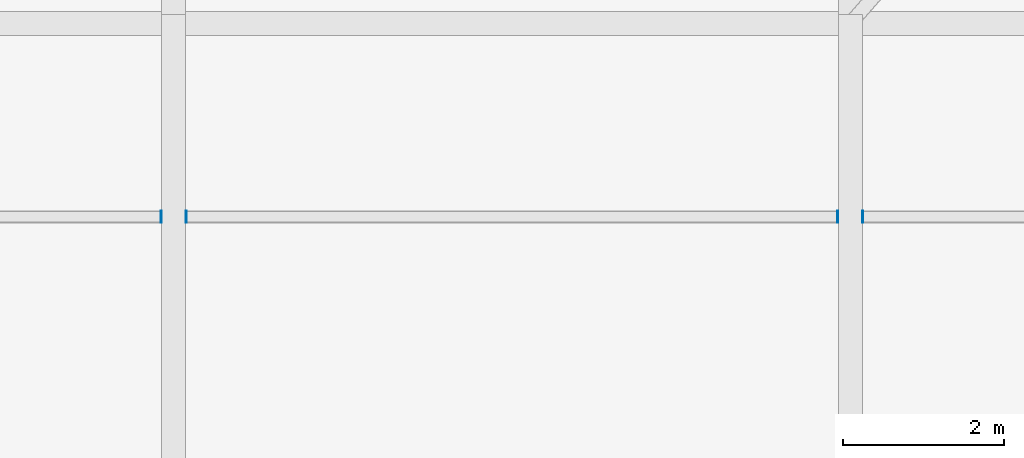
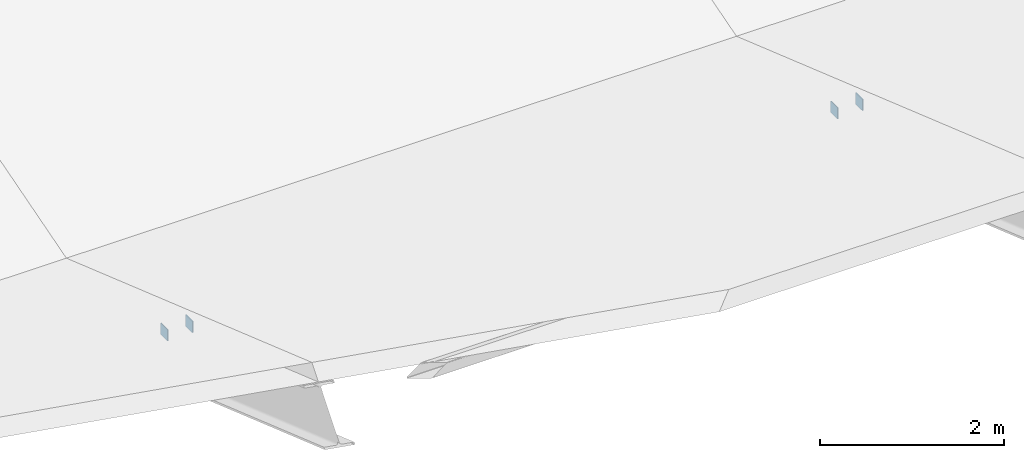
# One storey, part 105 of 110: 4 discrete accessories.
"""IFC4 building model written with IfcOpenShell, lengths in metres."""

import ifcopenshell
import ifcopenshell.guid

model = None  # the IFC model being written
_history = None  # IfcOwnerHistory: only IFC2X3 demands one
_inside = {}  # id of a spatial element -> (the spatial element, [elements in it])
_under = {}  # id of a project, library or spatial element -> (it, [spatial elements below it])
_declared = {}  # id of a project -> (the project, [libraries it declares])
_typed = {}  # id of a type object -> (the type object, [elements of that type])
_made_of = {}  # id of a material, layer set ... -> (it, [elements and type objects made of it])


def new_model(schema):
    """Start an empty IFC model of exactly this schema.

    Asked for "IFC4X3", IfcOpenShell would pick the latest addendum, in which some entities
    have other attributes; the version numbers below select the first issue.
    IFC2X3 requires an IfcOwnerHistory on every rooted entity: one is made here for all.
    """
    global model, _history
    if schema == "IFC4X3":
        model = ifcopenshell.file(schema_version=(4, 3, 0, 0))
    else:
        model = ifcopenshell.file(schema=schema)
    _inside.clear()
    _under.clear()
    _declared.clear()
    _typed.clear()
    _made_of.clear()
    _history = None
    if model.schema == "IFC2X3":
        org = make("IfcOrganization", Name="unknown")
        user = make(
            "IfcPersonAndOrganization",
            ThePerson=make("IfcPerson", FamilyName="unknown"),
            TheOrganization=org,
        )
        app = make(
            "IfcApplication",
            ApplicationDeveloper=org,
            Version="unknown",
            ApplicationFullName="unknown",
            ApplicationIdentifier="unknown",
        )
        _history = make(
            "IfcOwnerHistory",
            OwningUser=user,
            OwningApplication=app,
            ChangeAction="ADDED",
            CreationDate=0,
        )
    return model


def make(cls, **values):
    """One entity of the class cls with the attributes given. An attribute that is None is left unset."""
    return model.create_entity(
        cls, **{name: value for name, value in values.items() if value is not None}
    )


def rooted(cls, **values):
    """An entity with a GlobalId (a new one), such as an element, a storey or a relation."""
    return make(cls, GlobalId=ifcopenshell.guid.new(), OwnerHistory=_history, **values)


def si_unit(unit_type, name, prefix=None):
    """IfcSIUnit, for example si_unit("LENGTHUNIT", "METRE", prefix="MILLI")."""
    return make("IfcSIUnit", UnitType=unit_type, Prefix=prefix, Name=name)


def assignment(units):
    """IfcUnitAssignment: the units of a project."""
    return None if units is None else make("IfcUnitAssignment", Units=units)


def point(xyz):
    """IfcCartesianPoint."""
    return None if xyz is None else make("IfcCartesianPoint", Coordinates=xyz)


def direction(xyz):
    """IfcDirection."""
    return None if xyz is None else make("IfcDirection", DirectionRatios=xyz)


def frame(location, z_axis=None, x_axis=None):
    """IfcAxis2Placement3D, a coordinate frame: its origin and axes. An axis left out is left unset."""
    return make(
        "IfcAxis2Placement3D",
        Location=point(location),
        Axis=direction(z_axis),
        RefDirection=direction(x_axis),
    )


def frame_2d(location, x_axis=None):
    """IfcAxis2Placement2D, a coordinate frame in the plane: its origin and x axis."""
    return make(
        "IfcAxis2Placement2D", Location=point(location), RefDirection=direction(x_axis)
    )


def origin():
    """The frame at (0, 0, 0) with its axes left unset."""
    return frame((0.0, 0.0, 0.0))


def origin_2d():
    """The frame at (0, 0) in the plane with its x axis left unset."""
    return frame_2d((0.0, 0.0))


def place(relative_to, where):
    """IfcLocalPlacement: puts the frame where relative to a parent placement (None: the world)."""
    return make(
        "IfcLocalPlacement", PlacementRelTo=relative_to, RelativePlacement=where
    )


def context(
    kind, dimensions, precision=None, world=None, true_north=None, identifier=None
):
    """IfcGeometricRepresentationContext, for example the 3D "Model" context."""
    return make(
        "IfcGeometricRepresentationContext",
        ContextIdentifier=identifier,
        ContextType=kind,
        CoordinateSpaceDimension=dimensions,
        Precision=precision,
        WorldCoordinateSystem=world,
        TrueNorth=true_north,
    )


def subcontext(parent, identifier, kind, view, scale=None):
    """IfcGeometricRepresentationSubContext, for example "Body" below "Model"."""
    return make(
        "IfcGeometricRepresentationSubContext",
        ContextIdentifier=identifier,
        ContextType=kind,
        ParentContext=parent,
        TargetScale=scale,
        TargetView=view,
    )


def project(units=None, contexts=None):
    """IfcProject with its units and contexts."""
    return rooted(
        "IfcProject",
        Name="project",
        RepresentationContexts=contexts,
        UnitsInContext=assignment(units),
    )


def spatial(cls, under=None, at=None, **own):
    """A site, building, storey or space (cls), placed at a placement, below another one or the project."""
    s = rooted(cls, ObjectPlacement=at, **own)
    if under is not None:
        _under.setdefault(under.id(), (under, []))[1].append(s)
    return s


def profile(cls, at=None, kind="AREA", **sizes):
    """A parametric profile (cls). Its sizes go by their IFC names, for example OverallWidth=200.0."""
    return make(cls, ProfileType=kind, Position=at, **sizes)


def rectangle(**sizes):
    """IfcRectangleProfileDef."""
    return profile("IfcRectangleProfileDef", **sizes)


def extrude(swept, where, along, depth):
    """IfcExtrudedAreaSolid: the profile swept, set in the frame where, extruded along a direction by depth."""
    return make(
        "IfcExtrudedAreaSolid",
        SweptArea=swept,
        Position=where,
        ExtrudedDirection=direction(along),
        Depth=depth,
    )


def shape(context_of_items, identifier, shape_type, items):
    """IfcShapeRepresentation: the items that make up one representation, for example the "Body"."""
    return make(
        "IfcShapeRepresentation",
        ContextOfItems=context_of_items,
        RepresentationIdentifier=identifier,
        RepresentationType=shape_type,
        Items=items,
    )


def material(Name=None, Category=None):
    """IfcMaterial."""
    return make("IfcMaterial", Name=Name, Category=Category)


def made_of(thing, what):
    """Note that an element or type object is made of a material, layer set ...; save() writes the relation."""
    if what is not None:
        _made_of.setdefault(what.id(), (what, []))[1].append(thing)
    return thing


def type_object(cls, material=None, **own):
    """A type object (cls), such as IfcWallType, which elements share."""
    return made_of(rooted(cls, **own), material)


def element(
    cls,
    number,
    at=None,
    inside=None,
    cuts=None,
    type_object=None,
    material=None,
    context=None,
    identifier="Body",
    shape_type=None,
    held_by="IfcProductDefinitionShape",
    body=None,
    shapes=None,
    **own,
):
    """One element of the class cls, such as IfcWall. Its Tag is "e" and its number.

    at: its placement. inside: the storey or other place that contains it. cuts: it is an
    opening in that element (IfcRelVoidsElement). A single representation is given by context,
    identifier, shape_type and body (its items); several are given by shapes. held_by: the class
    of the entity that holds the representations. save() writes the other relations.
    """
    e = rooted(cls, Tag="e%d" % number, ObjectPlacement=at, **own)
    if body is not None:
        shapes = [shape(context, identifier, shape_type, body)]
    if shapes is not None:
        e.Representation = make(held_by, Representations=shapes)
    if inside is not None:
        _inside.setdefault(inside.id(), (inside, []))[1].append(e)
    if cuts is not None:
        rooted(
            "IfcRelVoidsElement", RelatingBuildingElement=cuts, RelatedOpeningElement=e
        )
    if type_object is not None:
        _typed.setdefault(type_object.id(), (type_object, []))[1].append(e)
    return made_of(e, material)


def aggregate(whole, parts):
    """IfcRelAggregates: a whole, such as a stair, and the parts it consists of."""
    return rooted("IfcRelAggregates", RelatingObject=whole, RelatedObjects=parts)


def save(model, path):
    """Write the relations noted so far, then the file.

    IfcRelAggregates (storeys below a building ...), IfcRelContainedInSpatialStructure (elements
    in a storey), IfcRelDefinesByType, IfcRelAssociatesMaterial and IfcRelDeclares: one each for
    every whole, place, type object, material and project.
    """
    for whole, parts in _under.values():
        aggregate(whole, parts)
    for where, things in _inside.values():
        rooted(
            "IfcRelContainedInSpatialStructure",
            RelatedElements=things,
            RelatingStructure=where,
        )
    for kind, things in _typed.values():
        rooted("IfcRelDefinesByType", RelatedObjects=things, RelatingType=kind)
    for what, things in _made_of.values():
        rooted("IfcRelAssociatesMaterial", RelatedObjects=things, RelatingMaterial=what)
    for by, libraries in _declared.values():
        rooted("IfcRelDeclares", RelatingContext=by, RelatedDefinitions=libraries)
    model.write(path)


model = new_model("IFC4")

# Units and contexts
model_context = context("Model", 3, precision=1e-05, world=origin(), true_north=direction((0.0, 1.0)))
body_context = subcontext(model_context, "Body", "Model", "MODEL_VIEW")
ifc_project = project(units=[si_unit("LENGTHUNIT", "METRE"), si_unit("AREAUNIT", "SQUARE_METRE"), si_unit("VOLUMEUNIT", "CUBIC_METRE"), si_unit("PLANEANGLEUNIT", "RADIAN"), si_unit("MASSUNIT", "GRAM", prefix="KILO")], contexts=[model_context])

# Site, building, storey
site_placement = place(None, origin())
site = spatial("IfcSite", under=ifc_project, at=site_placement, CompositionType="ELEMENT")
building_placement = place(site_placement, origin())
building = spatial("IfcBuilding", under=site, at=building_placement, Name="Qawsi Khor Wholesale Market", CompositionType="ELEMENT")
storey_placement = place(building_placement, frame((0.0, 0.0, 11.39990234375)))
storey = spatial("IfcBuildingStorey", under=building, at=storey_placement, Name="L02", CompositionType="ELEMENT", Elevation=11.39990234375)

# Discrete accessories
ifc_material = material(Name="Steel S355", Category="steel")
discrete_accessory_type = type_object("IfcDiscreteAccessoryType", Name="Purlin End Cleat Plate 12 S355", PredefinedType="BRACKET", material=ifc_material)
for number, where, z_axis, x_axis, name in (
    (1, (117.444091796875, 97.199951171875, 1.408447265625), (0.0, 0.0, 1.0), (1.0, 0.0, 0.0), "Auction roof purlin 14-2 end cleat E"),
    (2, (117.756103515625, 97.199951171875, 1.408447265625), (0.0, 0.0, 1.0), (1.0, 0.0, 0.0), "Auction roof purlin 15-2 end cleat W"),
    (3, (125.843994140625, 97.199951171875, 1.408447265625), (0.0, 0.0, 1.0), (1.0, 0.0, 0.0), "Auction roof purlin 15-2 end cleat E"),
    (4, (126.156005859375, 97.199951171875, 1.408447265625), (0.0, 0.0, 1.0), (1.0, 0.0, 0.0), "Auction roof purlin 16-2 end cleat W"),
):
    element("IfcDiscreteAccessory", number, at=place(storey_placement, frame(where, z_axis=z_axis, x_axis=x_axis)), inside=storey, type_object=discrete_accessory_type, Name=name, PredefinedType="BRACKET", context=body_context, shape_type="SweptSolid", body=[
        extrude(rectangle(XDim=0.011962890625, YDim=0.14990234375, at=origin_2d()), origin(), (0.0, 0.0, 1.0), 0.14990234375),
    ])

save(model, "model.ifc")
